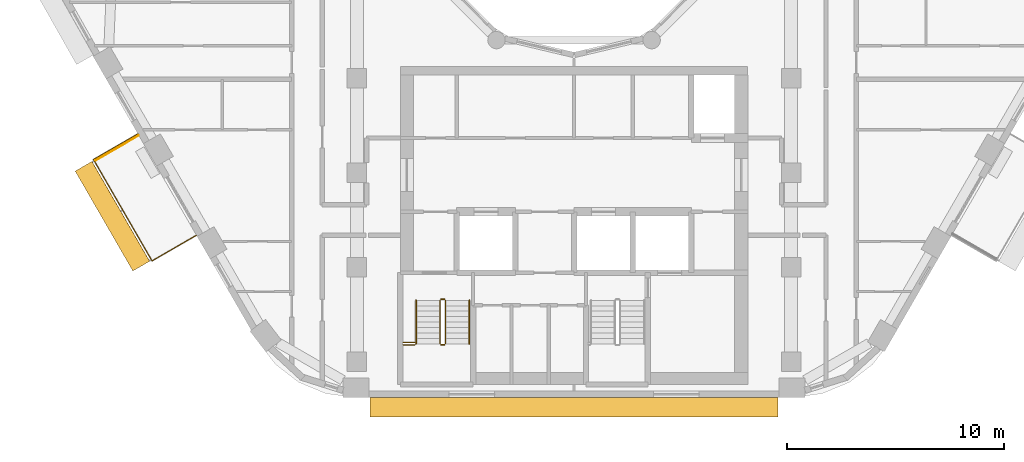
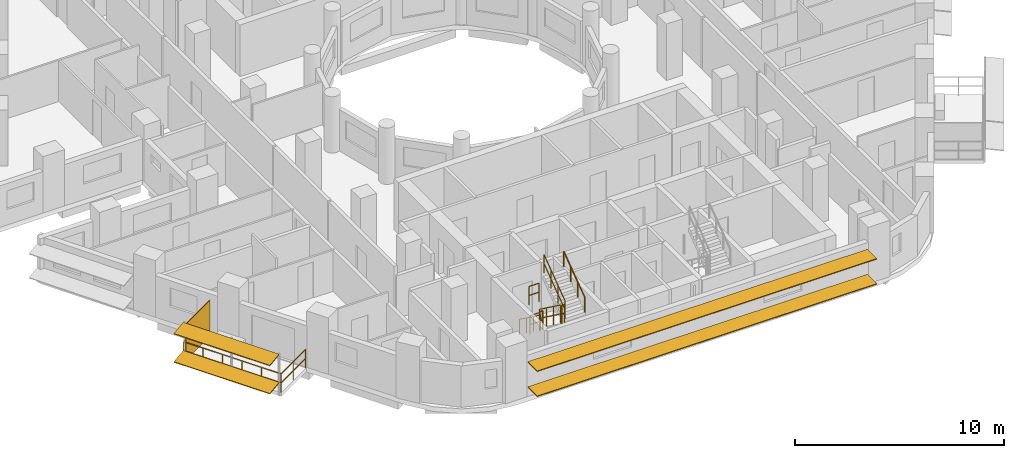
# One storey, part 14 of 18: 9 railings, 5 shading devices.
"""IFC4 building model written with IfcOpenShell, lengths in metres."""

import ifcopenshell
import ifcopenshell.guid

model = None  # the IFC model being written
_history = None  # IfcOwnerHistory: only IFC2X3 demands one
_inside = {}  # id of a spatial element -> (the spatial element, [elements in it])
_under = {}  # id of a project, library or spatial element -> (it, [spatial elements below it])
_declared = {}  # id of a project -> (the project, [libraries it declares])
_typed = {}  # id of a type object -> (the type object, [elements of that type])
_made_of = {}  # id of a material, layer set ... -> (it, [elements and type objects made of it])


def new_model(schema):
    """Start an empty IFC model of exactly this schema.

    Asked for "IFC4X3", IfcOpenShell would pick the latest addendum, in which some entities
    have other attributes; the version numbers below select the first issue.
    IFC2X3 requires an IfcOwnerHistory on every rooted entity: one is made here for all.
    """
    global model, _history
    if schema == "IFC4X3":
        model = ifcopenshell.file(schema_version=(4, 3, 0, 0))
    else:
        model = ifcopenshell.file(schema=schema)
    _inside.clear()
    _under.clear()
    _declared.clear()
    _typed.clear()
    _made_of.clear()
    _history = None
    if model.schema == "IFC2X3":
        org = make("IfcOrganization", Name="unknown")
        user = make(
            "IfcPersonAndOrganization",
            ThePerson=make("IfcPerson", FamilyName="unknown"),
            TheOrganization=org,
        )
        app = make(
            "IfcApplication",
            ApplicationDeveloper=org,
            Version="unknown",
            ApplicationFullName="unknown",
            ApplicationIdentifier="unknown",
        )
        _history = make(
            "IfcOwnerHistory",
            OwningUser=user,
            OwningApplication=app,
            ChangeAction="ADDED",
            CreationDate=0,
        )
    return model


def make(cls, **values):
    """One entity of the class cls with the attributes given. An attribute that is None is left unset."""
    return model.create_entity(
        cls, **{name: value for name, value in values.items() if value is not None}
    )


def rooted(cls, **values):
    """An entity with a GlobalId (a new one), such as an element, a storey or a relation."""
    return make(cls, GlobalId=ifcopenshell.guid.new(), OwnerHistory=_history, **values)


def si_unit(unit_type, name, prefix=None):
    """IfcSIUnit, for example si_unit("LENGTHUNIT", "METRE", prefix="MILLI")."""
    return make("IfcSIUnit", UnitType=unit_type, Prefix=prefix, Name=name)


def assignment(units):
    """IfcUnitAssignment: the units of a project."""
    return None if units is None else make("IfcUnitAssignment", Units=units)


def point(xyz):
    """IfcCartesianPoint."""
    return None if xyz is None else make("IfcCartesianPoint", Coordinates=xyz)


def direction(xyz):
    """IfcDirection."""
    return None if xyz is None else make("IfcDirection", DirectionRatios=xyz)


def frame(location, z_axis=None, x_axis=None):
    """IfcAxis2Placement3D, a coordinate frame: its origin and axes. An axis left out is left unset."""
    return make(
        "IfcAxis2Placement3D",
        Location=point(location),
        Axis=direction(z_axis),
        RefDirection=direction(x_axis),
    )


def frame_2d(location, x_axis=None):
    """IfcAxis2Placement2D, a coordinate frame in the plane: its origin and x axis."""
    return make(
        "IfcAxis2Placement2D", Location=point(location), RefDirection=direction(x_axis)
    )


def origin():
    """The frame at (0, 0, 0) with its axes left unset."""
    return frame((0.0, 0.0, 0.0))


def origin_2d():
    """The frame at (0, 0) in the plane with its x axis left unset."""
    return frame_2d((0.0, 0.0))


def place(relative_to, where):
    """IfcLocalPlacement: puts the frame where relative to a parent placement (None: the world)."""
    return make(
        "IfcLocalPlacement", PlacementRelTo=relative_to, RelativePlacement=where
    )


def context(
    kind, dimensions, precision=None, world=None, true_north=None, identifier=None
):
    """IfcGeometricRepresentationContext, for example the 3D "Model" context."""
    return make(
        "IfcGeometricRepresentationContext",
        ContextIdentifier=identifier,
        ContextType=kind,
        CoordinateSpaceDimension=dimensions,
        Precision=precision,
        WorldCoordinateSystem=world,
        TrueNorth=true_north,
    )


def subcontext(parent, identifier, kind, view, scale=None):
    """IfcGeometricRepresentationSubContext, for example "Body" below "Model"."""
    return make(
        "IfcGeometricRepresentationSubContext",
        ContextIdentifier=identifier,
        ContextType=kind,
        ParentContext=parent,
        TargetScale=scale,
        TargetView=view,
    )


def project(units=None, contexts=None):
    """IfcProject with its units and contexts."""
    return rooted(
        "IfcProject",
        Name="project",
        RepresentationContexts=contexts,
        UnitsInContext=assignment(units),
    )


def spatial(cls, under=None, at=None, **own):
    """A site, building, storey or space (cls), placed at a placement, below another one or the project."""
    s = rooted(cls, ObjectPlacement=at, **own)
    if under is not None:
        _under.setdefault(under.id(), (under, []))[1].append(s)
    return s


def profile(cls, at=None, kind="AREA", **sizes):
    """A parametric profile (cls). Its sizes go by their IFC names, for example OverallWidth=200.0."""
    return make(cls, ProfileType=kind, Position=at, **sizes)


def rectangle(**sizes):
    """IfcRectangleProfileDef."""
    return profile("IfcRectangleProfileDef", **sizes)


def circle(**sizes):
    """IfcCircleProfileDef."""
    return profile("IfcCircleProfileDef", **sizes)


def extrude(swept, where, along, depth):
    """IfcExtrudedAreaSolid: the profile swept, set in the frame where, extruded along a direction by depth."""
    return make(
        "IfcExtrudedAreaSolid",
        SweptArea=swept,
        Position=where,
        ExtrudedDirection=direction(along),
        Depth=depth,
    )


def shape(context_of_items, identifier, shape_type, items):
    """IfcShapeRepresentation: the items that make up one representation, for example the "Body"."""
    return make(
        "IfcShapeRepresentation",
        ContextOfItems=context_of_items,
        RepresentationIdentifier=identifier,
        RepresentationType=shape_type,
        Items=items,
    )


def material(Name=None, Category=None):
    """IfcMaterial."""
    return make("IfcMaterial", Name=Name, Category=Category)


def layer(
    of_material, thickness, ventilated=None, Name=None, Category=None, Priority=None
):
    """IfcMaterialLayer: one layer of a wall or slab, of a material (None: an air gap)."""
    return make(
        "IfcMaterialLayer",
        Material=of_material,
        LayerThickness=thickness,
        IsVentilated=ventilated,
        Name=Name,
        Category=Category,
        Priority=Priority,
    )


def layer_set(layers, Name=None):
    """IfcMaterialLayerSet."""
    return make("IfcMaterialLayerSet", MaterialLayers=layers, LayerSetName=Name)


def material_profile(
    of_material, cross_section, Name=None, Category=None, Priority=None
):
    """IfcMaterialProfile: a cross section and its material."""
    return make(
        "IfcMaterialProfile",
        Name=Name,
        Material=of_material,
        Profile=cross_section,
        Priority=Priority,
        Category=Category,
    )


def profile_set(profiles, Name=None, composite=None):
    """IfcMaterialProfileSet."""
    return make(
        "IfcMaterialProfileSet",
        Name=Name,
        MaterialProfiles=profiles,
        CompositeProfile=composite,
    )


def made_of(thing, what):
    """Note that an element or type object is made of a material, layer set ...; save() writes the relation."""
    if what is not None:
        _made_of.setdefault(what.id(), (what, []))[1].append(thing)
    return thing


def type_object(cls, material=None, **own):
    """A type object (cls), such as IfcWallType, which elements share."""
    return made_of(rooted(cls, **own), material)


def element(
    cls,
    number,
    at=None,
    inside=None,
    cuts=None,
    type_object=None,
    material=None,
    context=None,
    identifier="Body",
    shape_type=None,
    held_by="IfcProductDefinitionShape",
    body=None,
    shapes=None,
    **own,
):
    """One element of the class cls, such as IfcWall. Its Tag is "e" and its number.

    at: its placement. inside: the storey or other place that contains it. cuts: it is an
    opening in that element (IfcRelVoidsElement). A single representation is given by context,
    identifier, shape_type and body (its items); several are given by shapes. held_by: the class
    of the entity that holds the representations. save() writes the other relations.
    """
    e = rooted(cls, Tag="e%d" % number, ObjectPlacement=at, **own)
    if body is not None:
        shapes = [shape(context, identifier, shape_type, body)]
    if shapes is not None:
        e.Representation = make(held_by, Representations=shapes)
    if inside is not None:
        _inside.setdefault(inside.id(), (inside, []))[1].append(e)
    if cuts is not None:
        rooted(
            "IfcRelVoidsElement", RelatingBuildingElement=cuts, RelatedOpeningElement=e
        )
    if type_object is not None:
        _typed.setdefault(type_object.id(), (type_object, []))[1].append(e)
    return made_of(e, material)


def aggregate(whole, parts):
    """IfcRelAggregates: a whole, such as a stair, and the parts it consists of."""
    return rooted("IfcRelAggregates", RelatingObject=whole, RelatedObjects=parts)


def save(model, path):
    """Write the relations noted so far, then the file.

    IfcRelAggregates (storeys below a building ...), IfcRelContainedInSpatialStructure (elements
    in a storey), IfcRelDefinesByType, IfcRelAssociatesMaterial and IfcRelDeclares: one each for
    every whole, place, type object, material and project.
    """
    for whole, parts in _under.values():
        aggregate(whole, parts)
    for where, things in _inside.values():
        rooted(
            "IfcRelContainedInSpatialStructure",
            RelatedElements=things,
            RelatingStructure=where,
        )
    for kind, things in _typed.values():
        rooted("IfcRelDefinesByType", RelatedObjects=things, RelatingType=kind)
    for what, things in _made_of.values():
        rooted("IfcRelAssociatesMaterial", RelatedObjects=things, RelatingMaterial=what)
    for by, libraries in _declared.values():
        rooted("IfcRelDeclares", RelatingContext=by, RelatedDefinitions=libraries)
    model.write(path)


model = new_model("IFC4")

# Units and contexts
model_context = context("Model", 3, precision=1e-05, world=origin(), true_north=direction((0.0, 1.0)))
body_context = subcontext(model_context, "Body", "Model", "MODEL_VIEW")
ifc_project = project(units=[si_unit("LENGTHUNIT", "METRE"), si_unit("AREAUNIT", "SQUARE_METRE"), si_unit("VOLUMEUNIT", "CUBIC_METRE"), si_unit("PLANEANGLEUNIT", "RADIAN"), si_unit("MASSUNIT", "GRAM", prefix="KILO")], contexts=[model_context])

# Site, building, storey
site_placement = place(None, origin())
site = spatial("IfcSite", under=ifc_project, at=site_placement, CompositionType="ELEMENT")
building_placement = place(site_placement, origin())
building = spatial("IfcBuilding", under=site, at=building_placement, Name="Nakaniwa Court", CompositionType="ELEMENT")
storey_placement = place(building_placement, frame((0.0, 0.0, 180.0)))
storey = spatial("IfcBuildingStorey", under=building, at=storey_placement, Name="L46", CompositionType="ELEMENT", Elevation=180.0)

# Railing
ifc_material_1 = material(Name="Black powder-coated steel flat bar balustrade S275", Category="steel")
railing_type_1 = type_object("IfcRailingType", Name="Black metal balcony guard 1100", PredefinedType="GUARDRAIL", material=ifc_material_1)
railing_1_placement = place(storey_placement, frame((59.913818359375, 69.490234375, -0.050048828125)))
element("IfcRailing", 1, at=railing_1_placement, inside=storey, type_object=railing_type_1, Name="L46 balcony guard 01", PredefinedType="GUARDRAIL", context=body_context, shape_type="SweptSolid", body=[
    extrude(circle(Radius=0.02392578125, at=origin_2d()), frame((0.0, 0.0, 1.076171875), z_axis=(-0.866025363618, -0.50000006957, 0.0), x_axis=(0.50000006957, -0.866025363618, 0.0)), (0.0, 0.0, 1.0), 2.35986328125),
    extrude(circle(Radius=0.02392578125, at=origin_2d()), frame((0.0, 0.0, 0.550048828125), z_axis=(-0.866025363618, -0.50000006957, 0.0), x_axis=(0.50000006957, -0.866025363618, 0.0)), (0.0, 0.0, 1.0), 2.35986328125),
    extrude(circle(Radius=0.02392578125, at=origin_2d()), frame((-2.043701171875, -1.179931640625, 1.076171875), z_axis=(0.499982522799, -0.866035494016, 0.0), x_axis=(0.866035494016, 0.499982522799, 0.0)), (0.0, 0.0, 1.0), 5.390380859375),
    extrude(circle(Radius=0.02392578125, at=origin_2d()), frame((-2.043701171875, -1.179931640625, 0.550048828125), z_axis=(0.499982522799, -0.866035494016, 0.0), x_axis=(0.866035494016, 0.499982522799, 0.0)), (0.0, 0.0, 1.0), 5.390380859375),
    extrude(circle(Radius=0.02392578125, at=origin_2d()), frame((0.6513671875, -5.84814453125, 1.076171875), z_axis=(0.866051224006, 0.499955275397, 0.0), x_axis=(-0.499955275397, 0.866051224006, 0.0)), (0.0, 0.0, 1.0), 2.360107421875),
    extrude(circle(Radius=0.02392578125, at=origin_2d()), frame((0.6513671875, -5.84814453125, 0.550048828125), z_axis=(0.866051224006, 0.499955275397, 0.0), x_axis=(-0.499955275397, 0.866051224006, 0.0)), (0.0, 0.0, 1.0), 2.360107421875),
    extrude(circle(Radius=0.02099609375, at=origin_2d()), origin(), (0.0, 0.0, 1.0), 1.052001953125),
    extrude(circle(Radius=0.02099609375, at=origin_2d()), frame((-1.02197265625, -0.58984375, 0.0)), (0.0, 0.0, 1.0), 1.052001953125),
    extrude(circle(Radius=0.02099609375, at=origin_2d()), frame((-2.043701171875, -1.179931640625, 0.0)), (0.0, 0.0, 1.0), 1.052001953125),
    extrude(circle(Radius=0.02099609375, at=origin_2d()), frame((-1.504638671875, -2.113525390625, 0.0)), (0.0, 0.0, 1.0), 1.052001953125),
    extrude(circle(Radius=0.02099609375, at=origin_2d()), frame((-0.965576171875, -3.047119140625, 0.0)), (0.0, 0.0, 1.0), 1.052001953125),
    extrude(circle(Radius=0.02099609375, at=origin_2d()), frame((-0.4267578125, -3.98095703125, 0.0)), (0.0, 0.0, 1.0), 1.052001953125),
    extrude(circle(Radius=0.02099609375, at=origin_2d()), frame((0.1123046875, -4.91455078125, 0.0)), (0.0, 0.0, 1.0), 1.052001953125),
    extrude(circle(Radius=0.02099609375, at=origin_2d()), frame((0.6513671875, -5.84814453125, 0.0)), (0.0, 0.0, 1.0), 1.052001953125),
    extrude(circle(Radius=0.02099609375, at=origin_2d()), frame((1.67333984375, -5.25830078125, 0.0)), (0.0, 0.0, 1.0), 1.052001953125),
    extrude(circle(Radius=0.02099609375, at=origin_2d()), frame((2.6953125, -4.668212890625, 0.0)), (0.0, 0.0, 1.0), 1.052001953125),
])

# Shading devices
ifc_material_2 = material(Name="Black powder-coated aluminium slat screen", Category="aluminium")
ifc_layer = layer(ifc_material_2, 0.0400390625)
ifc_layer_set = layer_set([ifc_layer], Name="Black powder-coated aluminium slat screen")
shading_device_type_1 = type_object("IfcShadingDeviceType", Name="Koshi screen black metal", PredefinedType="USERDEFINED", material=ifc_layer_set)
shading_device_placement = place(storey_placement, frame((58.95361328125, 68.843505859375, -0.050048828125), z_axis=(0.0, 0.0, 1.0), x_axis=(0.500016626402, -0.866015804314, 0.0)))
element("IfcShadingDevice", 2, at=shading_device_placement, inside=storey, type_object=shading_device_type_1, Name="L46 balcony SCREEN 01 W", ObjectType="KOSHI SCREEN", PredefinedType="USERDEFINED", context=body_context, shape_type="SweptSolid", body=[
    extrude(rectangle(XDim=0.0400390625, YDim=2.31005859375, at=origin_2d()), origin(), (0.0, 0.0, 1.0), 2.10009765625),
])
ifc_material_3 = material(Name="Perforated charcoal ceramic louvre blade")
ifc_material_profile = material_profile(ifc_material_3, rectangle(XDim=0.89990234375, YDim=0.050048828125, at=origin_2d()), Name="Perforated ceramic louvre blade")
ifc_profile_set = profile_set([ifc_material_profile], Name="Perforated charcoal ceramic louvre blade")
shading_device_type_2 = type_object("IfcShadingDeviceType", Name="Perforated ceramic louvre blade", PredefinedType="JALOUSIE", material=ifc_profile_set)
for number, where, z_axis, x_axis, name in (
    (3, (57.414306640625, 68.0009765625, 0.5), (0.49999571177, -0.866027879581, 0.0), (0.858618891017, 0.495718179143, 0.13052619222), "L46 perforated ceramic louvre blade 01 1"),
    (4, (57.414306640625, 68.0009765625, 2.14990234375), (0.49999571177, -0.866027879581, 0.0), (0.858618891017, 0.495718179143, 0.13052619222), "L46 perforated ceramic louvre blade 01 2"),
):
    element("IfcShadingDevice", number, at=place(storey_placement, frame(where, z_axis=z_axis, x_axis=x_axis)), inside=storey, type_object=shading_device_type_2, Name=name, PredefinedType="JALOUSIE", context=body_context, shape_type="SweptSolid", body=[
        extrude(rectangle(XDim=0.89990234375, YDim=0.050048828125, at=origin_2d()), origin(), (0.0, 0.0, 1.0), 5.310546875),
    ])
for number, where, z_axis, x_axis, name in (
    (5, (70.6005859375, 56.89990234375, 0.550048828125), (1.0, 0.0, 0.0), (0.0, 1.0, 0.0), "L46 perforated ceramic louvre blade w26 1"),
    (6, (70.6005859375, 56.89990234375, 2.014892578125), (1.0, 0.0, 0.0), (0.0, 1.0, 0.0), "L46 perforated ceramic louvre blade w26 2"),
):
    element("IfcShadingDevice", number, at=place(storey_placement, frame(where, z_axis=z_axis, x_axis=x_axis)), inside=storey, type_object=shading_device_type_2, Name=name, PredefinedType="JALOUSIE", context=body_context, shape_type="SweptSolid", body=[
        extrude(rectangle(XDim=0.89990234375, YDim=0.050048828125, at=origin_2d()), origin(), (0.0, 0.0, 1.0), 18.79296875),
    ])

# Railings
ifc_material_4 = material(Name="Black powder coated steel guard", Category="steel")
railing_type_2 = type_object("IfcRailingType", Name="Stair guard 1100", PredefinedType="GUARDRAIL", material=ifc_material_4)
railing_2_placement = place(storey_placement, frame((73.824951171875, 61.824951171875, 0.183349609375)))
element("IfcRailing", 7, at=railing_2_placement, inside=storey, type_object=railing_type_2, Name="L46 ST3 stair guard 1", PredefinedType="GUARDRAIL", context=body_context, shape_type="SweptSolid", body=[
    extrude(circle(Radius=0.02392578125, at=origin_2d()), frame((0.0, 0.0, 1.076171875), z_axis=(0.0, -0.806426902644, 0.591333789573), x_axis=(1.0, 0.0, 0.0)), (0.0, 0.0, 1.0), 2.47998046875),
    extrude(circle(Radius=0.02392578125, at=origin_2d()), frame((0.0, 0.0, 0.550048828125), z_axis=(0.0, -0.806426902644, 0.591333789573), x_axis=(1.0, 0.0, 0.0)), (0.0, 0.0, 1.0), 2.47998046875),
    extrude(circle(Radius=0.02099609375, at=origin_2d()), origin(), (0.0, 0.0, 1.0), 1.052001953125),
    extrude(circle(Radius=0.02099609375, at=origin_2d()), frame((0.0, -0.666748046875, 0.48876953125)), (0.0, 0.0, 1.0), 1.052001953125),
    extrude(circle(Radius=0.02099609375, at=origin_2d()), frame((0.0, -1.333251953125, 0.977783203125)), (0.0, 0.0, 1.0), 1.052001953125),
    extrude(circle(Radius=0.02099609375, at=origin_2d()), frame((0.0, -2.0, 1.466552734375)), (0.0, 0.0, 1.0), 1.052001953125),
])
railing_3_placement = place(storey_placement, frame((73.875, 59.77490234375, 1.64990234375)))
element("IfcRailing", 8, at=railing_3_placement, inside=storey, type_object=railing_type_2, Name="L46 ST3 stair guard 2", PredefinedType="GUARDRAIL", context=body_context, shape_type="SweptSolid", body=[
    extrude(circle(Radius=0.02392578125, at=origin_2d()), frame((0.0, 0.0, 1.076171875), z_axis=(1.0, 0.0, 0.0), x_axis=(0.0, 1.0, 0.0)), (0.0, 0.0, 1.0), 0.14990234375),
    extrude(circle(Radius=0.02392578125, at=origin_2d()), frame((0.0, 0.0, 0.550048828125), z_axis=(1.0, 0.0, 0.0), x_axis=(0.0, 1.0, 0.0)), (0.0, 0.0, 1.0), 0.14990234375),
    extrude(circle(Radius=0.02099609375, at=origin_2d()), origin(), (0.0, 0.0, 1.0), 1.052001953125),
    extrude(circle(Radius=0.02099609375, at=origin_2d()), frame((0.14990234375, 0.0, 0.0)), (0.0, 0.0, 1.0), 1.052001953125),
])
railing_4_placement = place(storey_placement, frame((74.074951171875, 59.824951171875, 1.833251953125)))
element("IfcRailing", 9, at=railing_4_placement, inside=storey, type_object=railing_type_2, Name="L46 ST3 stair guard 3", PredefinedType="GUARDRAIL", context=body_context, shape_type="SweptSolid", body=[
    extrude(circle(Radius=0.02392578125, at=origin_2d()), frame((0.0, 0.0, 1.076171875), z_axis=(0.0, 0.806379959628, 0.591397802423), x_axis=(-1.0, 0.0, 0.0)), (0.0, 0.0, 1.0), 2.480224609375),
    extrude(circle(Radius=0.02392578125, at=origin_2d()), frame((0.0, 0.0, 0.550048828125), z_axis=(0.0, 0.806379959628, 0.591397802423), x_axis=(-1.0, 0.0, 0.0)), (0.0, 0.0, 1.0), 2.480224609375),
    extrude(circle(Radius=0.02099609375, at=origin_2d()), origin(), (0.0, 0.0, 1.0), 1.052001953125),
    extrude(circle(Radius=0.02099609375, at=origin_2d()), frame((0.0, 0.666748046875, 0.489013671875)), (0.0, 0.0, 1.0), 1.052001953125),
    extrude(circle(Radius=0.02099609375, at=origin_2d()), frame((0.0, 1.333251953125, 0.977783203125)), (0.0, 0.0, 1.0), 1.052001953125),
    extrude(circle(Radius=0.02099609375, at=origin_2d()), frame((0.0, 2.0, 1.466796875)), (0.0, 0.0, 1.0), 1.052001953125),
])
railing_5_placement = place(storey_placement, frame((73.875, 61.875, 0.0)))
element("IfcRailing", 10, at=railing_5_placement, inside=storey, type_object=railing_type_2, Name="L46 ST3 stair guard 4", PredefinedType="GUARDRAIL", context=body_context, shape_type="SweptSolid", body=[
    extrude(circle(Radius=0.02392578125, at=origin_2d()), frame((0.0, 0.0, 1.076171875), z_axis=(1.0, 0.0, 0.0), x_axis=(0.0, 1.0, 0.0)), (0.0, 0.0, 1.0), 0.14990234375),
    extrude(circle(Radius=0.02392578125, at=origin_2d()), frame((0.0, 0.0, 0.550048828125), z_axis=(1.0, 0.0, 0.0), x_axis=(0.0, 1.0, 0.0)), (0.0, 0.0, 1.0), 0.14990234375),
    extrude(circle(Radius=0.02099609375, at=origin_2d()), origin(), (0.0, 0.0, 1.0), 1.052001953125),
    extrude(circle(Radius=0.02099609375, at=origin_2d()), frame((0.14990234375, 0.0, 0.0)), (0.0, 0.0, 1.0), 1.052001953125),
])
for number, where, name in (
    (11, (72.125, 59.77490234375, 1.64990234375), "L46 ST3 landing side guard 1W"),
    (12, (72.125, 59.875, 3.300048828125), "L46 ST3 floor edge guard 1W"),
):
    element("IfcRailing", number, at=place(storey_placement, frame(where)), inside=storey, type_object=railing_type_2, Name=name, PredefinedType="GUARDRAIL", context=body_context, shape_type="SweptSolid", body=[
        extrude(circle(Radius=0.02392578125, at=origin_2d()), frame((0.0, 0.0, 1.076171875), z_axis=(1.0, 0.0, 0.0), x_axis=(0.0, 1.0, 0.0)), (0.0, 0.0, 1.0), 0.550048828125),
        extrude(circle(Radius=0.02392578125, at=origin_2d()), frame((0.0, 0.0, 0.550048828125), z_axis=(1.0, 0.0, 0.0), x_axis=(0.0, 1.0, 0.0)), (0.0, 0.0, 1.0), 0.550048828125),
        extrude(circle(Radius=0.02099609375, at=origin_2d()), origin(), (0.0, 0.0, 1.0), 1.052001953125),
        extrude(circle(Radius=0.02099609375, at=origin_2d()), frame((0.550048828125, 0.0, 0.0)), (0.0, 0.0, 1.0), 1.052001953125),
    ])
ifc_material_5 = material(Name="Black powder coated steel handrail", Category="steel")
railing_type_3 = type_object("IfcRailingType", Name="Stair handrail 900", PredefinedType="HANDRAIL", material=ifc_material_5)
railing_6_placement = place(storey_placement, frame((72.72509765625, 61.824951171875, 0.183349609375)))
element("IfcRailing", 13, at=railing_6_placement, inside=storey, type_object=railing_type_3, Name="L46 ST3 stair handrail 1", PredefinedType="HANDRAIL", context=body_context, shape_type="SweptSolid", body=[
    extrude(circle(Radius=0.02392578125, at=origin_2d()), frame((0.0, 0.0, 0.8759765625), z_axis=(0.0, -0.806426902644, 0.591333789573), x_axis=(1.0, 0.0, 0.0)), (0.0, 0.0, 1.0), 2.47998046875),
    extrude(circle(Radius=0.02099609375, at=origin_2d()), origin(), (0.0, 0.0, 1.0), 0.851806640625),
    extrude(circle(Radius=0.02099609375, at=origin_2d()), frame((0.0, -0.666748046875, 0.48876953125)), (0.0, 0.0, 1.0), 0.851806640625),
    extrude(circle(Radius=0.02099609375, at=origin_2d()), frame((0.0, -1.333251953125, 0.977783203125)), (0.0, 0.0, 1.0), 0.851806640625),
    extrude(circle(Radius=0.02099609375, at=origin_2d()), frame((0.0, -2.0, 1.466552734375)), (0.0, 0.0, 1.0), 0.851806640625),
])
railing_7_placement = place(storey_placement, frame((75.175048828125, 59.824951171875, 1.833251953125)))
element("IfcRailing", 14, at=railing_7_placement, inside=storey, type_object=railing_type_3, Name="L46 ST3 stair handrail 2", PredefinedType="HANDRAIL", context=body_context, shape_type="SweptSolid", body=[
    extrude(circle(Radius=0.02392578125, at=origin_2d()), frame((0.0, 0.0, 0.8759765625), z_axis=(0.0, 0.806379959628, 0.591397802423), x_axis=(-1.0, 0.0, 0.0)), (0.0, 0.0, 1.0), 2.480224609375),
    extrude(circle(Radius=0.02099609375, at=origin_2d()), origin(), (0.0, 0.0, 1.0), 0.851806640625),
    extrude(circle(Radius=0.02099609375, at=origin_2d()), frame((0.0, 0.666748046875, 0.489013671875)), (0.0, 0.0, 1.0), 0.851806640625),
    extrude(circle(Radius=0.02099609375, at=origin_2d()), frame((0.0, 1.333251953125, 0.977783203125)), (0.0, 0.0, 1.0), 0.851806640625),
    extrude(circle(Radius=0.02099609375, at=origin_2d()), frame((0.0, 2.0, 1.466796875)), (0.0, 0.0, 1.0), 0.851806640625),
])

save(model, "model.ifc")
